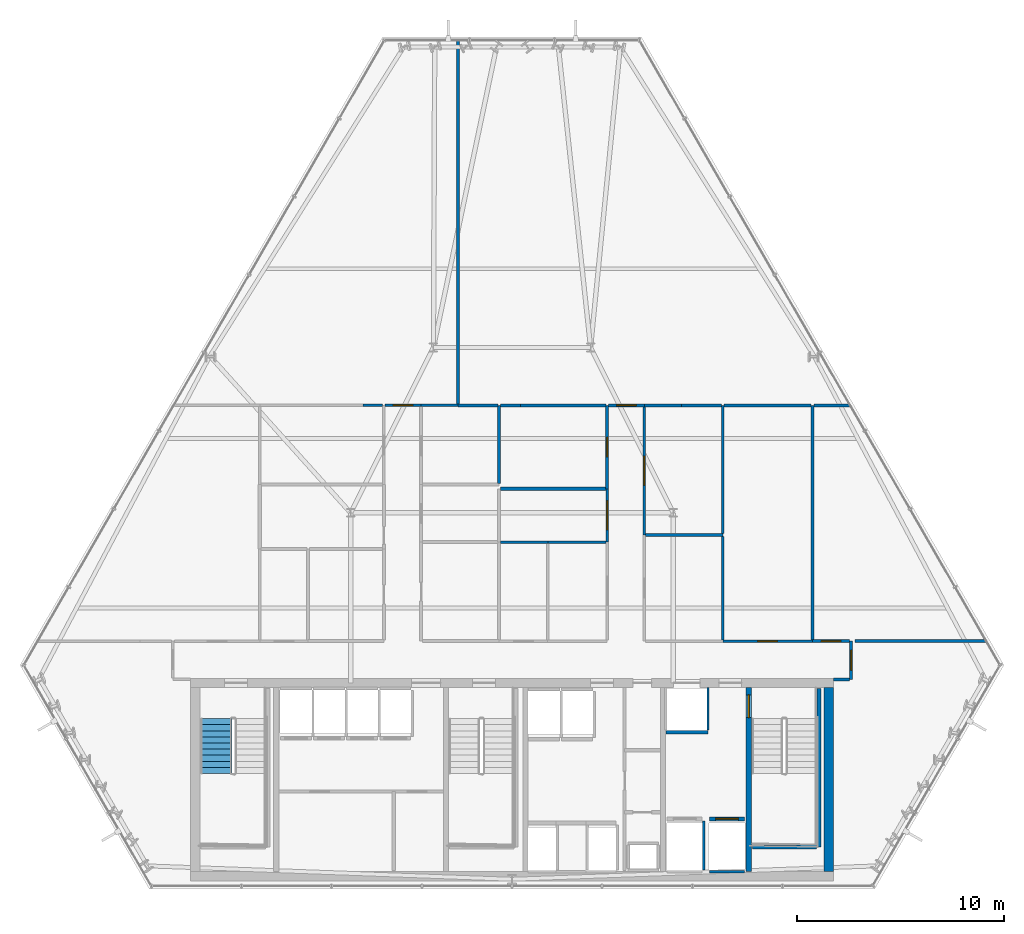
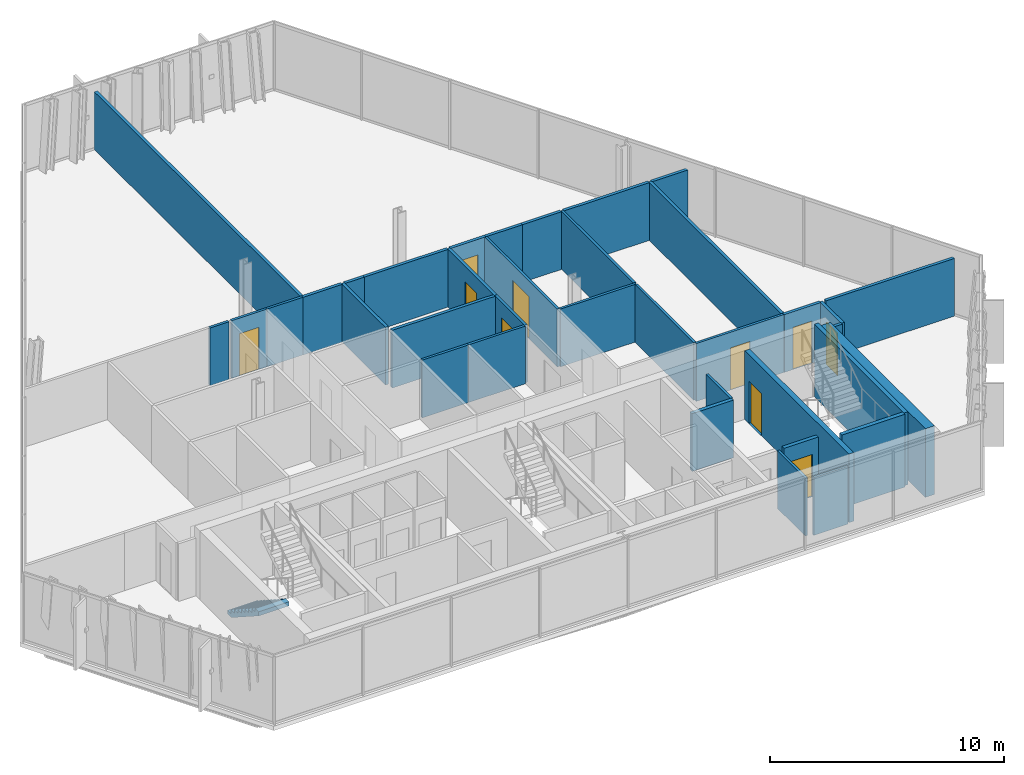
# One storey, part 27 of 32: 37 walls, 10 doors, 1 stair flight, 10 openings, 1 element without a shape of its own.
"""IFC4 building model written with IfcOpenShell, lengths in metres."""

from ifc_helpers import new_model, si_unit, direction, frame, frame_2d, origin, place, context, subcontext, project, spatial, polyline, rectangle, outline, extrude, material, layer, layer_set, type_object, element, fill, aggregate, save


model = new_model("IFC4")

# Units and contexts
model_context = context("Model", 3, precision=1e-05, world=origin(), true_north=direction((0.0, 1.0)))
body_context = subcontext(model_context, "Body", "Model", "MODEL_VIEW")
ifc_project = project(units=[si_unit("LENGTHUNIT", "METRE"), si_unit("AREAUNIT", "SQUARE_METRE"), si_unit("VOLUMEUNIT", "CUBIC_METRE"), si_unit("PLANEANGLEUNIT", "RADIAN"), si_unit("MASSUNIT", "GRAM", prefix="KILO")], contexts=[model_context])

# Site, building, storey
site_placement = place(None, origin())
site = spatial("IfcSite", under=ifc_project, at=site_placement, CompositionType="ELEMENT")
building_placement = place(site_placement, origin())
building = spatial("IfcBuilding", under=site, at=building_placement, Name="Ndaravel Arena Tower", CompositionType="ELEMENT")
storey_placement = place(building_placement, frame((0.0, 0.0, 134.60009765625)))
storey = spatial("IfcBuildingStorey", under=building, at=storey_placement, Name="L31", CompositionType="ELEMENT", Elevation=134.60009765625)

# Wall, opening, door
ifc_material_1 = material(Name="Concrete C60/75", Category="concrete")
ifc_layer_1 = layer(ifc_material_1, 0.25)
ifc_layer_set_1 = layer_set([ifc_layer_1], Name="Concrete C60/75")
wall_type_1 = type_object("IfcWallType", Name="WALL-CORE-250", PredefinedType="SOLIDWALL", material=ifc_layer_set_1)
wall_1_placement = place(storey_placement, frame((53.449951171875, 5.85009765625, 0.0), z_axis=(0.0, 0.0, 1.0), x_axis=(0.0, 1.0, 0.0)))
wall_1 = element("IfcWall", 1, at=wall_1_placement, inside=storey, type_object=wall_type_1, Name="L31 Core Web Shear Wall 5", PredefinedType="SOLIDWALL", context=body_context, shape_type="SweptSolid", body=[
    extrude(rectangle(XDim=8.89990234375, YDim=0.25, at=frame_2d((4.449951171875, 0.0))), origin(), (0.0, 0.0, 1.0), 3.579833984375),
])
opening_1_placement = place(wall_1_placement, frame((7.449951171875, 0.0, 0.0)))
opening_1 = element("IfcOpeningElement", 2, at=opening_1_placement, cuts=wall_1, Name="Opening FD-01", PredefinedType="OPENING", context=body_context, shape_type="SweptSolid", body=[
    extrude(rectangle(XDim=1.10009765625, YDim=2.199951171875, at=frame_2d((0.550048828125, 1.10009765625))), frame((0.0, 0.125, 0.0), z_axis=(0.0, -1.0, 0.0), x_axis=(1.0, 0.0, 0.0)), (0.0, 0.0, 1.0), 0.25),
])
ifc_material_2 = material(Name="Steel S355", Category="steel")
door_type_1 = type_object("IfcDoorType", Name="DT-01-STAIR-1100", OperationType="SINGLE_SWING_LEFT", PredefinedType="DOOR", material=ifc_material_2)
door_1_placement = place(opening_1_placement, origin())
door_1 = element("IfcDoor", 3, at=door_1_placement, inside=storey, type_object=door_type_1, Name="L31 Firefighting Lobby to ST-3 Door", OperationType="SINGLE_SWING_LEFT", OverallHeight=2.199951171875, OverallWidth=1.10009765625, PredefinedType="DOOR", context=body_context, shape_type="SweptSolid", body=[
    extrude(rectangle(XDim=1.10009765625, YDim=2.199951171875, at=frame_2d((0.550048828125, 1.10009765625))), frame((0.0, 0.02490234375, 0.0), z_axis=(0.0, -1.0, 0.0), x_axis=(1.0, 0.0, 0.0)), (0.0, 0.0, 1.0), 0.050048828125),
])
fill(opening_1, door_1)

# Wall
ifc_material_3 = material(Name="Concrete C60/75", Category="concrete")
ifc_layer_2 = layer(ifc_material_3, 0.449951171875)
ifc_layer_set_2 = layer_set([ifc_layer_2], Name="Concrete C60/75")
wall_type_2 = type_object("IfcWallType", Name="WALL-CORE-450", PredefinedType="SOLIDWALL", material=ifc_layer_set_2)
wall_2_placement = place(storey_placement, frame((57.324951171875, 5.85009765625, 0.0), z_axis=(0.0, 0.0, 1.0), x_axis=(0.0, 1.0, 0.0)))
element("IfcWall", 4, at=wall_2_placement, inside=storey, type_object=wall_type_2, Name="L31 Core East Shear Wall", PredefinedType="SOLIDWALL", context=body_context, shape_type="SweptSolid", body=[
    extrude(rectangle(XDim=8.89990234375, YDim=0.449951171875, at=frame_2d((4.449951171875, 0.0))), origin(), (0.0, 0.0, 1.0), 3.579833984375),
])

# Wall, opening, door
ifc_material_4 = material(Name="Gypsum", Category="gypsum")
ifc_layer_3 = layer(ifc_material_4, 0.125)
ifc_layer_set_3 = layer_set([ifc_layer_3], Name="Gypsum")
wall_type_3 = type_object("IfcWallType", Name="WALL-PART-125", PredefinedType="PARTITIONING", material=ifc_layer_set_3)
wall_3_placement = place(storey_placement, frame((35.864990234375, 28.39990234375, 0.0), z_axis=(0.0, 0.0, 1.0), x_axis=(1.0, 0.0, 0.0)))
wall_3 = element("IfcWall", 5, at=wall_3_placement, inside=storey, type_object=wall_type_3, Name="L31 Interior Partition 011", PredefinedType="PARTITIONING", context=body_context, shape_type="SweptSolid", body=[
    extrude(rectangle(XDim=1.735107421875, YDim=0.125, at=frame_2d((0.86767578125, 0.0))), origin(), (0.0, 0.0, 1.0), 3.010498046875),
])
opening_2_placement = place(wall_3_placement, frame((0.392578125, 0.0, 0.0)))
opening_2 = element("IfcOpeningElement", 6, at=opening_2_placement, cuts=wall_3, Name="Opening ID-01", PredefinedType="OPENING", context=body_context, shape_type="SweptSolid", body=[
    extrude(rectangle(XDim=0.949951171875, YDim=2.199951171875, at=frame_2d((0.47509765625, 1.10009765625))), frame((0.0, 0.0625, 0.0), z_axis=(0.0, -1.0, 0.0), x_axis=(1.0, 0.0, 0.0)), (0.0, 0.0, 1.0), 0.125),
])
ifc_material_5 = material(Name="Timber", Category="wood")
door_type_2 = type_object("IfcDoorType", Name="DT-03-OFFICE-950", OperationType="SINGLE_SWING_LEFT", PredefinedType="DOOR", material=ifc_material_5)
door_2_placement = place(opening_2_placement, origin())
door_2 = element("IfcDoor", 7, at=door_2_placement, inside=storey, type_object=door_type_2, Name="L31 Training Classroom 8 Door", OperationType="SINGLE_SWING_RIGHT", OverallHeight=2.199951171875, OverallWidth=0.949951171875, PredefinedType="DOOR", context=body_context, shape_type="SweptSolid", body=[
    extrude(rectangle(XDim=0.949951171875, YDim=2.199951171875, at=frame_2d((0.47509765625, 1.10009765625))), frame((0.0, 0.02490234375, 0.0), z_axis=(0.0, -1.0, 0.0), x_axis=(1.0, 0.0, 0.0)), (0.0, 0.0, 1.0), 0.050048828125),
])
fill(opening_2, door_2)

wall_4_placement = place(storey_placement, frame((46.60009765625, 21.7880859375, 0.0), z_axis=(0.0, 0.0, 1.0), x_axis=(0.0, 1.0, 0.0)))
wall_4 = element("IfcWall", 8, at=wall_4_placement, inside=storey, type_object=wall_type_3, Name="L31 Interior Partition 019", PredefinedType="PARTITIONING", context=body_context, shape_type="SweptSolid", body=[
    extrude(rectangle(XDim=2.57861328125, YDim=0.125, at=frame_2d((1.289306640625, 0.0))), origin(), (0.0, 0.0, 1.0), 3.010498046875),
])
opening_3_placement = place(wall_4_placement, frame((0.58935546875, 0.0, 0.0)))
opening_3 = element("IfcOpeningElement", 9, at=opening_3_placement, cuts=wall_4, Name="Opening ID-02", PredefinedType="OPENING", context=body_context, shape_type="SweptSolid", body=[
    extrude(rectangle(XDim=1.39990234375, YDim=2.199951171875, at=frame_2d((0.699951171875, 1.10009765625))), frame((0.0, 0.0625, 0.0), z_axis=(0.0, -1.0, 0.0), x_axis=(1.0, 0.0, 0.0)), (0.0, 0.0, 1.0), 0.125),
])
ifc_material_6 = material(Name="Timber", Category="wood")
door_type_3 = type_object("IfcDoorType", Name="DT-04-SUITE-1400", OperationType="DOUBLE_DOOR_SINGLE_SWING", PredefinedType="DOOR", material=ifc_material_6)
door_3_placement = place(opening_3_placement, origin())
door_3 = element("IfcDoor", 10, at=door_3_placement, inside=storey, type_object=door_type_3, Name="L31 Executive Boardroom 5 Door", OperationType="SINGLE_SWING_RIGHT", OverallHeight=2.199951171875, OverallWidth=1.39990234375, PredefinedType="DOOR", context=body_context, shape_type="SweptSolid", body=[
    extrude(rectangle(XDim=1.39990234375, YDim=2.199951171875, at=frame_2d((0.699951171875, 1.10009765625))), frame((0.0, 0.02490234375, 0.0), z_axis=(0.0, -1.0, 0.0), x_axis=(1.0, 0.0, 0.0)), (0.0, 0.0, 1.0), 0.050048828125),
])
fill(opening_3, door_3)

wall_5_placement = place(storey_placement, frame((48.39990234375, 28.3349609375, 0.0), z_axis=(0.0, 0.0, 1.0), x_axis=(0.0, -1.0, 0.0)))
wall_5 = element("IfcWall", 11, at=wall_5_placement, inside=storey, type_object=wall_type_3, Name="L31 Interior Partition 022", PredefinedType="PARTITIONING", context=body_context, shape_type="SweptSolid", body=[
    extrude(rectangle(XDim=6.205078125, YDim=0.125, at=frame_2d((3.1025390625, 0.0))), origin(), (0.0, 0.0, 1.0), 3.010498046875),
])
opening_4_placement = place(wall_5_placement, frame((2.402587890625, 0.0, 0.0)))
opening_4 = element("IfcOpeningElement", 12, at=opening_4_placement, cuts=wall_5, Name="Opening ID-02", PredefinedType="OPENING", context=body_context, shape_type="SweptSolid", body=[
    extrude(rectangle(XDim=1.39990234375, YDim=2.199951171875, at=frame_2d((0.699951171875, 1.10009765625))), frame((0.0, 0.0625, 0.0), z_axis=(0.0, -1.0, 0.0), x_axis=(1.0, 0.0, 0.0)), (0.0, 0.0, 1.0), 0.125),
])
door_4_placement = place(opening_4_placement, origin())
door_4 = element("IfcDoor", 13, at=door_4_placement, inside=storey, type_object=door_type_3, Name="L31 Client Conference Room 6 Door", OperationType="SINGLE_SWING_RIGHT", OverallHeight=2.199951171875, OverallWidth=1.39990234375, PredefinedType="DOOR", context=body_context, shape_type="SweptSolid", body=[
    extrude(rectangle(XDim=1.39990234375, YDim=2.199951171875, at=frame_2d((0.699951171875, 1.10009765625))), frame((0.0, 0.02490234375, 0.0), z_axis=(0.0, -1.0, 0.0), x_axis=(1.0, 0.0, 0.0)), (0.0, 0.0, 1.0), 0.050048828125),
])
fill(opening_4, door_4)

wall_6_placement = place(storey_placement, frame((52.199951171875, 17.0, 0.0), z_axis=(0.0, 0.0, 1.0), x_axis=(1.0, 0.0, 0.0)))
wall_6 = element("IfcWall", 14, at=wall_6_placement, inside=storey, type_object=wall_type_3, Name="L31 Interior Partition 025", PredefinedType="PARTITIONING", context=body_context, shape_type="SweptSolid", body=[
    extrude(rectangle(XDim=4.33251953125, YDim=0.125, at=frame_2d((2.166259765625, 0.0))), origin(), (0.0, 0.0, 1.0), 3.010498046875),
])
opening_5_placement = place(wall_6_placement, frame((1.691162109375, 0.0, 0.0)))
opening_5 = element("IfcOpeningElement", 15, at=opening_5_placement, cuts=wall_6, Name="Opening ID-01", PredefinedType="OPENING", context=body_context, shape_type="SweptSolid", body=[
    extrude(rectangle(XDim=0.949951171875, YDim=2.199951171875, at=frame_2d((0.47509765625, 1.10009765625))), frame((0.0, 0.0625, 0.0), z_axis=(0.0, -1.0, 0.0), x_axis=(1.0, 0.0, 0.0)), (0.0, 0.0, 1.0), 0.125),
])
door_5_placement = place(opening_5_placement, origin())
door_5 = element("IfcDoor", 16, at=door_5_placement, inside=storey, type_object=door_type_2, Name="L31 Training Classroom 4 Door", OperationType="SINGLE_SWING_RIGHT", OverallHeight=2.199951171875, OverallWidth=0.949951171875, PredefinedType="DOOR", context=body_context, shape_type="SweptSolid", body=[
    extrude(rectangle(XDim=0.949951171875, YDim=2.199951171875, at=frame_2d((0.47509765625, 1.10009765625))), frame((0.0, 0.02490234375, 0.0), z_axis=(0.0, -1.0, 0.0), x_axis=(1.0, 0.0, 0.0)), (0.0, 0.0, 1.0), 0.050048828125),
])
fill(opening_5, door_5)

# Walls
wall_7_placement = place(storey_placement, frame((41.445068359375, 21.7880859375, 0.0), z_axis=(0.0, 0.0, 1.0), x_axis=(1.0, 0.0, 0.0)))
element("IfcWall", 17, at=wall_7_placement, inside=storey, type_object=wall_type_3, Name="L31 Interior Partition 036", PredefinedType="PARTITIONING", context=body_context, shape_type="SweptSolid", body=[
    extrude(rectangle(XDim=2.283935546875, YDim=0.125, at=frame_2d((1.14208984375, 0.0))), origin(), (0.0, 0.0, 1.0), 3.010498046875),
])
wall_8_placement = place(storey_placement, frame((43.72900390625, 21.7880859375, 0.0), z_axis=(0.0, 0.0, 1.0), x_axis=(1.0, 0.0, 0.0)))
element("IfcWall", 18, at=wall_8_placement, inside=storey, type_object=wall_type_3, Name="L31 Interior Partition 038", PredefinedType="PARTITIONING", context=body_context, shape_type="SweptSolid", body=[
    extrude(rectangle(XDim=2.805908203125, YDim=0.125, at=frame_2d((1.40283203125, 0.0))), origin(), (0.0, 0.0, 1.0), 3.010498046875),
])
wall_9_placement = place(storey_placement, frame((48.465087890625, 22.1298828125, 0.0), z_axis=(0.0, 0.0, 1.0), x_axis=(1.0, 0.0, 0.0)))
element("IfcWall", 19, at=wall_9_placement, inside=storey, type_object=wall_type_3, Name="L31 Interior Partition 039", PredefinedType="PARTITIONING", context=body_context, shape_type="SweptSolid", body=[
    extrude(rectangle(XDim=3.73486328125, YDim=0.125, at=frame_2d((1.867431640625, 0.0))), origin(), (0.0, 0.0, 1.0), 3.010498046875),
])
wall_10_placement = place(storey_placement, frame((52.199951171875, 22.06494140625, 0.0), z_axis=(0.0, 0.0, 1.0), x_axis=(0.0, -1.0, 0.0)))
element("IfcWall", 20, at=wall_10_placement, inside=storey, type_object=wall_type_3, Name="L31 Interior Partition 040", PredefinedType="PARTITIONING", context=body_context, shape_type="SweptSolid", body=[
    extrude(rectangle(XDim=5.0, YDim=0.125, at=frame_2d((2.5, 0.0))), origin(), (0.0, 0.0, 1.0), 3.010498046875),
])
wall_11_placement = place(storey_placement, frame((52.199951171875, 22.195068359375, 0.0), z_axis=(0.0, 0.0, 1.0), x_axis=(0.0, 1.0, 0.0)))
element("IfcWall", 21, at=wall_11_placement, inside=storey, type_object=wall_type_3, Name="L31 Interior Partition 046", PredefinedType="PARTITIONING", context=body_context, shape_type="SweptSolid", body=[
    extrude(rectangle(XDim=6.204833984375, YDim=0.125, at=frame_2d((3.1025390625, 0.0))), origin(), (0.0, 0.0, 1.0), 3.010498046875),
])
wall_12_placement = place(storey_placement, frame((37.60009765625, 28.39990234375, 0.0), z_axis=(0.0, 0.0, 1.0), x_axis=(1.0, 0.0, 0.0)))
element("IfcWall", 22, at=wall_12_placement, inside=storey, type_object=wall_type_3, Name="L31 Interior Partition 057", PredefinedType="PARTITIONING", context=body_context, shape_type="SweptSolid", body=[
    extrude(rectangle(XDim=1.7822265625, YDim=0.125, at=frame_2d((0.89111328125, 0.0))), origin(), (0.0, 0.0, 1.0), 3.010498046875),
])
wall_13_placement = place(storey_placement, frame((34.800048828125, 28.39990234375, 0.0), z_axis=(0.0, 0.0, 1.0), x_axis=(1.0, 0.0, 0.0)))
element("IfcWall", 23, at=wall_13_placement, inside=storey, type_object=wall_type_3, Name="L31 Interior Partition 060", PredefinedType="PARTITIONING", context=body_context, shape_type="SweptSolid", body=[
    extrude(rectangle(XDim=0.93505859375, YDim=0.125, at=frame_2d((0.467529296875, 0.0))), origin(), (0.0, 0.0, 1.0), 3.010498046875),
])
ifc_material_7 = material(Name="Concrete C40/50", Category="concrete")
ifc_layer_4 = layer(ifc_material_7, 0.1201171875)
ifc_layer_set_4 = layer_set([ifc_layer_4], Name="Concrete C40/50")
wall_type_4 = type_object("IfcWallType", Name="WALL-SHAFT-120", PredefinedType="SOLIDWALL", material=ifc_layer_set_4)
wall_14_placement = place(storey_placement, frame((51.27490234375, 5.929931640625, 0.0), z_axis=(0.0, 0.0, 1.0), x_axis=(0.0, 1.0, 0.0)))
element("IfcWall", 24, at=wall_14_placement, inside=storey, type_object=wall_type_4, Name="L31 FFL-1 Shaft Side R Wall", PredefinedType="SOLIDWALL", context=body_context, shape_type="SweptSolid", body=[
    extrude(rectangle(XDim=2.380126953125, YDim=0.1201171875, at=frame_2d((1.18994140625, 0.0))), origin(), (0.0, 0.0, 1.0), 3.010498046875),
])
wall_15_placement = place(storey_placement, frame((51.554931640625, 5.840087890625, 0.0), z_axis=(0.0, 0.0, 1.0), x_axis=(1.0, 0.0, 0.0)))
element("IfcWall", 25, at=wall_15_placement, inside=storey, type_object=wall_type_4, Name="L31 FFL-2 Shaft Rear Wall", PredefinedType="SOLIDWALL", context=body_context, shape_type="SweptSolid", body=[
    extrude(rectangle(XDim=1.690185546875, YDim=0.1201171875, at=frame_2d((0.84521484375, 0.0))), origin(), (0.0, 0.0, 1.0), 3.010498046875),
])
wall_16_placement = place(storey_placement, frame((51.47998046875, 12.68994140625, 0.0), z_axis=(0.0, 0.0, 1.0), x_axis=(0.0, 1.0, 0.0)))
element("IfcWall", 26, at=wall_16_placement, inside=storey, type_object=wall_type_4, Name="L31 SVL-1 Shaft E Wall", PredefinedType="SOLIDWALL", context=body_context, shape_type="SweptSolid", body=[
    extrude(rectangle(XDim=2.070068359375, YDim=0.1201171875, at=frame_2d((1.03515625, 0.0))), origin(), (0.0, 0.0, 1.0), 3.010498046875),
])
ifc_material_8 = material(Name="Concrete C40/50", Category="concrete")
ifc_layer_5 = layer(ifc_material_8, 0.199951171875)
ifc_layer_set_5 = layer_set([ifc_layer_5], Name="Concrete C40/50")
wall_type_5 = type_object("IfcWallType", Name="WALL-SHAFT-200", PredefinedType="SOLIDWALL", material=ifc_layer_set_5)
wall_17_placement = place(storey_placement, frame((56.840087890625, 14.699951171875, 0.0), z_axis=(0.0, 0.0, 1.0), x_axis=(0.0, -1.0, 0.0)))
element("IfcWall", 27, at=wall_17_placement, inside=storey, type_object=wall_type_5, Name="L31 ST-3 Structural Shaft Wall Right", PredefinedType="SOLIDWALL", context=body_context, shape_type="SweptSolid", body=[
    extrude(rectangle(XDim=7.64990234375, YDim=0.199951171875, at=frame_2d((3.824951171875, 0.0))), origin(), (0.0, 0.0, 1.0), 3.7998046875),
])
wall_18_placement = place(storey_placement, frame((53.6201171875, 7.050048828125, 0.0), z_axis=(0.0, 0.0, 1.0), x_axis=(1.0, 0.0, 0.0)))
element("IfcWall", 28, at=wall_18_placement, inside=storey, type_object=wall_type_5, Name="L31 ST-3 Structural Shaft Wall Far", PredefinedType="SOLIDWALL", context=body_context, shape_type="SweptSolid", body=[
    extrude(rectangle(XDim=3.114990234375, YDim=0.199951171875, at=frame_2d((1.5576171875, 0.0))), origin(), (0.0, 0.0, 1.0), 3.7998046875),
])

# Wall, opening, door
wall_19_placement = place(storey_placement, frame((51.554931640625, 8.39990234375, 0.0), z_axis=(0.0, 0.0, 1.0), x_axis=(1.0, 0.0, 0.0)))
wall_19 = element("IfcWall", 29, at=wall_19_placement, inside=storey, type_object=wall_type_5, Name="L31 FFL-2 Shaft Landing Wall", PredefinedType="SOLIDWALL", context=body_context, shape_type="SweptSolid", body=[
    extrude(rectangle(XDim=1.690185546875, YDim=0.179931640625, at=frame_2d((0.84521484375, 0.0))), origin(), (0.0, 0.0, 1.0), 3.010498046875),
])
opening_6_placement = place(wall_19_placement, frame((0.294921875, 0.0, 0.0)))
opening_6 = element("IfcOpeningElement", 30, at=opening_6_placement, cuts=wall_19, Name="Opening LD-01", PredefinedType="OPENING", context=body_context, shape_type="SweptSolid", body=[
    extrude(rectangle(XDim=1.10009765625, YDim=2.199951171875, at=frame_2d((0.550048828125, 1.10009765625))), frame((0.0, 0.08984375, 0.0), z_axis=(0.0, -1.0, 0.0), x_axis=(1.0, 0.0, 0.0)), (0.0, 0.0, 1.0), 0.179931640625),
])
ifc_material_9 = material(Name="Steel S355", Category="steel")
door_type_4 = type_object("IfcDoorType", Name="DT-06-LIFT-1100", OperationType="SLIDING_TO_LEFT", PredefinedType="DOOR", material=ifc_material_9)
door_6_placement = place(opening_6_placement, origin())
door_6 = element("IfcDoor", 31, at=door_6_placement, inside=storey, type_object=door_type_4, Name="L31 Lift FFL-2 Sliding Landing Door", OperationType="SLIDING_TO_LEFT", OverallHeight=2.199951171875, OverallWidth=1.10009765625, PredefinedType="DOOR", context=body_context, shape_type="SweptSolid", body=[
    extrude(rectangle(XDim=1.10009765625, YDim=2.199951171875, at=frame_2d((0.550048828125, 1.10009765625))), frame((0.0, 0.02490234375, 0.0), z_axis=(0.0, -1.0, 0.0), x_axis=(1.0, 0.0, 0.0)), (0.0, 0.0, 1.0), 0.050048828125),
])
fill(opening_6, door_6)

# Wall
wall_20_placement = place(storey_placement, frame((49.43994140625, 12.594970703125, 0.0), z_axis=(0.0, 0.0, 1.0), x_axis=(1.0, 0.0, 0.0)))
element("IfcWall", 32, at=wall_20_placement, inside=storey, type_object=wall_type_5, Name="L31 SVL-1 Shaft South Wall", PredefinedType="SOLIDWALL", context=body_context, shape_type="SweptSolid", body=[
    extrude(rectangle(XDim=2.0400390625, YDim=0.179931640625, at=frame_2d((1.02001953125, 0.0))), origin(), (0.0, 0.0, 1.0), 3.010498046875),
])

# Wall, opening, door
ifc_material_10 = material(Name="Masonry", Category="masonry")
ifc_layer_6 = layer(ifc_material_10, 0.14990234375)
ifc_layer_set_6 = layer_set([ifc_layer_6], Name="Masonry")
wall_type_6 = type_object("IfcWallType", Name="WALL-WET-150", PredefinedType="PARTITIONING", material=ifc_layer_set_6)
wall_21_placement = place(storey_placement, frame((58.39990234375, 17.0, 0.0), z_axis=(0.0, 0.0, 1.0), x_axis=(0.0, -1.0, 0.0)))
wall_21 = element("IfcWall", 33, at=wall_21_placement, inside=storey, type_object=wall_type_6, Name="L31 Interior Partition 001", PredefinedType="PARTITIONING", context=body_context, shape_type="SweptSolid", body=[
    extrude(rectangle(XDim=1.85009765625, YDim=0.14990234375, at=frame_2d((0.925048828125, 0.0))), origin(), (0.0, 0.0, 1.0), 3.010498046875),
])
opening_7_placement = place(wall_21_placement, frame((0.449951171875, 0.0, 0.0)))
opening_7 = element("IfcOpeningElement", 34, at=opening_7_placement, cuts=wall_21, Name="Opening FD-03", PredefinedType="OPENING", context=body_context, shape_type="SweptSolid", body=[
    extrude(rectangle(XDim=0.949951171875, YDim=2.199951171875, at=frame_2d((0.47509765625, 1.10009765625))), frame((0.0, 0.074951171875, 0.0), z_axis=(0.0, -1.0, 0.0), x_axis=(1.0, 0.0, 0.0)), (0.0, 0.0, 1.0), 0.14990234375),
])
ifc_material_11 = material(Name="Steel S355", Category="steel")
door_type_5 = type_object("IfcDoorType", Name="DT-11-CORE-950", OperationType="SINGLE_SWING_LEFT", PredefinedType="DOOR", material=ifc_material_11)
door_7_placement = place(opening_7_placement, origin())
door_7 = element("IfcDoor", 35, at=door_7_placement, inside=storey, type_object=door_type_5, Name="L31 Staff Espresso Kitchen Door", OperationType="SINGLE_SWING_LEFT", OverallHeight=2.199951171875, OverallWidth=0.949951171875, PredefinedType="DOOR", context=body_context, shape_type="SweptSolid", body=[
    extrude(rectangle(XDim=0.949951171875, YDim=2.199951171875, at=frame_2d((0.47509765625, 1.10009765625))), frame((0.0, 0.02490234375, 0.0), z_axis=(0.0, -1.0, 0.0), x_axis=(1.0, 0.0, 0.0)), (0.0, 0.0, 1.0), 0.050048828125),
])
fill(opening_7, door_7)

# Wall
wall_22_placement = place(storey_placement, frame((58.3349609375, 15.14990234375, 0.0), z_axis=(0.0, 0.0, 1.0), x_axis=(-1.0, 0.0, 0.0)))
element("IfcWall", 36, at=wall_22_placement, inside=storey, type_object=wall_type_6, Name="L31 Interior Partition 002", PredefinedType="PARTITIONING", context=body_context, shape_type="SweptSolid", body=[
    extrude(rectangle(XDim=0.784912109375, YDim=0.14990234375, at=frame_2d((0.392578125, 0.0))), origin(), (0.0, 0.0, 1.0), 3.010498046875),
])

# Wall, opening, door
wall_23_placement = place(storey_placement, frame((46.60009765625, 24.36669921875, 0.0), z_axis=(0.0, 0.0, 1.0), x_axis=(0.0, 1.0, 0.0)))
wall_23 = element("IfcWall", 37, at=wall_23_placement, inside=storey, type_object=wall_type_6, Name="L31 Interior Partition 020", PredefinedType="PARTITIONING", context=body_context, shape_type="SweptSolid", body=[
    extrude(rectangle(XDim=4.033203125, YDim=0.14990234375, at=frame_2d((2.0166015625, 0.0))), origin(), (0.0, 0.0, 1.0), 3.010498046875),
])
opening_8_placement = place(wall_23_placement, frame((1.54150390625, 0.0, 0.0)))
opening_8 = element("IfcOpeningElement", 38, at=opening_8_placement, cuts=wall_23, Name="Opening FD-03", PredefinedType="OPENING", context=body_context, shape_type="SweptSolid", body=[
    extrude(rectangle(XDim=0.949951171875, YDim=2.199951171875, at=frame_2d((0.47509765625, 1.10009765625))), frame((0.0, 0.074951171875, 0.0), z_axis=(0.0, -1.0, 0.0), x_axis=(1.0, 0.0, 0.0)), (0.0, 0.0, 1.0), 0.14990234375),
])
door_8_placement = place(opening_8_placement, origin())
door_8 = element("IfcDoor", 39, at=door_8_placement, inside=storey, type_object=door_type_5, Name="L31 Catering Pantry 6 Door", OperationType="SINGLE_SWING_LEFT", OverallHeight=2.199951171875, OverallWidth=0.949951171875, PredefinedType="DOOR", context=body_context, shape_type="SweptSolid", body=[
    extrude(rectangle(XDim=0.949951171875, YDim=2.199951171875, at=frame_2d((0.47509765625, 1.10009765625))), frame((0.0, 0.02490234375, 0.0), z_axis=(0.0, -1.0, 0.0), x_axis=(1.0, 0.0, 0.0)), (0.0, 0.0, 1.0), 0.050048828125),
])
fill(opening_8, door_8)

wall_24_placement = place(storey_placement, frame((46.6650390625, 28.39990234375, 0.0), z_axis=(0.0, 0.0, 1.0), x_axis=(1.0, 0.0, 0.0)))
wall_24 = element("IfcWall", 40, at=wall_24_placement, inside=storey, type_object=wall_type_6, Name="L31 Interior Partition 021", PredefinedType="PARTITIONING", context=body_context, shape_type="SweptSolid", body=[
    extrude(rectangle(XDim=1.73486328125, YDim=0.14990234375, at=frame_2d((0.867431640625, 0.0))), origin(), (0.0, 0.0, 1.0), 3.010498046875),
])
opening_9_placement = place(wall_24_placement, frame((0.392578125, 0.0, 0.0)))
opening_9 = element("IfcOpeningElement", 41, at=opening_9_placement, cuts=wall_24, Name="Opening FD-03", PredefinedType="OPENING", context=body_context, shape_type="SweptSolid", body=[
    extrude(rectangle(XDim=0.949951171875, YDim=2.199951171875, at=frame_2d((0.47509765625, 1.10009765625))), frame((0.0, 0.074951171875, 0.0), z_axis=(0.0, -1.0, 0.0), x_axis=(1.0, 0.0, 0.0)), (0.0, 0.0, 1.0), 0.14990234375),
])
door_9_placement = place(opening_9_placement, origin())
door_9 = element("IfcDoor", 42, at=door_9_placement, inside=storey, type_object=door_type_5, Name="L31 Floor Servery Kitchen 8 Door", OperationType="SINGLE_SWING_LEFT", OverallHeight=2.199951171875, OverallWidth=0.949951171875, PredefinedType="DOOR", context=body_context, shape_type="SweptSolid", body=[
    extrude(rectangle(XDim=0.949951171875, YDim=2.199951171875, at=frame_2d((0.47509765625, 1.10009765625))), frame((0.0, 0.02490234375, 0.0), z_axis=(0.0, -1.0, 0.0), x_axis=(1.0, 0.0, 0.0)), (0.0, 0.0, 1.0), 0.050048828125),
])
fill(opening_9, door_9)

wall_25_placement = place(storey_placement, frame((56.532470703125, 17.0, 0.0), z_axis=(0.0, 0.0, 1.0), x_axis=(1.0, 0.0, 0.0)))
wall_25 = element("IfcWall", 43, at=wall_25_placement, inside=storey, type_object=wall_type_6, Name="L31 Interior Partition 026", PredefinedType="PARTITIONING", context=body_context, shape_type="SweptSolid", body=[
    extrude(rectangle(XDim=1.802490234375, YDim=0.14990234375, at=frame_2d((0.9013671875, 0.0))), origin(), (0.0, 0.0, 1.0), 3.010498046875),
])
opening_10_placement = place(wall_25_placement, frame((0.42626953125, 0.0, 0.0)))
opening_10 = element("IfcOpeningElement", 44, at=opening_10_placement, cuts=wall_25, Name="Opening FD-03", PredefinedType="OPENING", context=body_context, shape_type="SweptSolid", body=[
    extrude(rectangle(XDim=0.949951171875, YDim=2.199951171875, at=frame_2d((0.47509765625, 1.10009765625))), frame((0.0, 0.074951171875, 0.0), z_axis=(0.0, -1.0, 0.0), x_axis=(1.0, 0.0, 0.0)), (0.0, 0.0, 1.0), 0.14990234375),
])
door_10_placement = place(opening_10_placement, origin())
door_10 = element("IfcDoor", 45, at=door_10_placement, inside=storey, type_object=door_type_5, Name="L31 Catering Pantry 2 Door", OperationType="SINGLE_SWING_RIGHT", OverallHeight=2.199951171875, OverallWidth=0.949951171875, PredefinedType="DOOR", context=body_context, shape_type="SweptSolid", body=[
    extrude(rectangle(XDim=0.949951171875, YDim=2.199951171875, at=frame_2d((0.47509765625, 1.10009765625))), frame((0.0, 0.02490234375, 0.0), z_axis=(0.0, -1.0, 0.0), x_axis=(1.0, 0.0, 0.0)), (0.0, 0.0, 1.0), 0.050048828125),
])
fill(opening_10, door_10)

# Walls
wall_26_placement = place(storey_placement, frame((58.60009765625, 17.0, 0.0), z_axis=(0.0, 0.0, 1.0), x_axis=(1.0, 0.0, 0.0)))
element("IfcWall", 46, at=wall_26_placement, inside=storey, type_object=wall_type_6, Name="L31 Interior Partition 029", PredefinedType="PARTITIONING", context=body_context, shape_type="SweptSolid", body=[
    extrude(rectangle(XDim=6.34228515625, YDim=0.14990234375, at=frame_2d((3.171142578125, 0.0))), origin(), (0.0, 0.0, 1.0), 3.010498046875),
])
wall_27_placement = place(storey_placement, frame((56.532470703125, 17.06494140625, 0.0), z_axis=(0.0, 0.0, 1.0), x_axis=(0.0, 1.0, 0.0)))
element("IfcWall", 47, at=wall_27_placement, inside=storey, type_object=wall_type_6, Name="L31 Interior Partition 041", PredefinedType="PARTITIONING", context=body_context, shape_type="SweptSolid", body=[
    extrude(rectangle(XDim=11.3349609375, YDim=0.14990234375, at=frame_2d((5.66748046875, 0.0))), origin(), (0.0, 0.0, 1.0), 3.010498046875),
])
wall_28_placement = place(storey_placement, frame((56.597412109375, 28.39990234375, 0.0), z_axis=(0.0, 0.0, 1.0), x_axis=(1.0, 0.0, 0.0)))
element("IfcWall", 48, at=wall_28_placement, inside=storey, type_object=wall_type_6, Name="L31 Interior Partition 042", PredefinedType="PARTITIONING", context=body_context, shape_type="SweptSolid", body=[
    extrude(rectangle(XDim=1.76318359375, YDim=0.14990234375, at=frame_2d((0.881591796875, 0.0))), origin(), (0.0, 0.0, 1.0), 3.010498046875),
])
wall_29_placement = place(storey_placement, frame((52.264892578125, 28.39990234375, 0.0), z_axis=(0.0, 0.0, 1.0), x_axis=(1.0, 0.0, 0.0)))
element("IfcWall", 49, at=wall_29_placement, inside=storey, type_object=wall_type_6, Name="L31 Interior Partition 047", PredefinedType="PARTITIONING", context=body_context, shape_type="SweptSolid", body=[
    extrude(rectangle(XDim=4.202392578125, YDim=0.14990234375, at=frame_2d((2.10107421875, 0.0))), origin(), (0.0, 0.0, 1.0), 3.010498046875),
])
wall_30_placement = place(storey_placement, frame((41.445068359375, 24.36669921875, 0.0), z_axis=(0.0, 0.0, 1.0), x_axis=(1.0, 0.0, 0.0)))
element("IfcWall", 50, at=wall_30_placement, inside=storey, type_object=wall_type_6, Name="L31 Interior Partition 050", PredefinedType="PARTITIONING", context=body_context, shape_type="SweptSolid", body=[
    extrude(rectangle(XDim=5.08984375, YDim=0.14990234375, at=frame_2d((2.544921875, 0.0))), origin(), (0.0, 0.0, 1.0), 3.010498046875),
])
wall_31_placement = place(storey_placement, frame((48.39990234375, 28.39990234375, 0.0), z_axis=(0.0, 0.0, 1.0), x_axis=(1.0, 0.0, 0.0)))
element("IfcWall", 51, at=wall_31_placement, inside=storey, type_object=wall_type_6, Name="L31 Interior Partition 052", PredefinedType="PARTITIONING", context=body_context, shape_type="SweptSolid", body=[
    extrude(rectangle(XDim=1.800048828125, YDim=0.14990234375, at=frame_2d((0.89990234375, 0.0))), origin(), (0.0, 0.0, 1.0), 3.010498046875),
])
wall_32_placement = place(storey_placement, frame((50.199951171875, 28.39990234375, 0.0), z_axis=(0.0, 0.0, 1.0), x_axis=(1.0, 0.0, 0.0)))
element("IfcWall", 52, at=wall_32_placement, inside=storey, type_object=wall_type_6, Name="L31 Interior Partition 053", PredefinedType="PARTITIONING", context=body_context, shape_type="SweptSolid", body=[
    extrude(rectangle(XDim=1.93505859375, YDim=0.14990234375, at=frame_2d((0.967529296875, 0.0))), origin(), (0.0, 0.0, 1.0), 3.010498046875),
])
wall_33_placement = place(storey_placement, frame((41.3798828125, 24.6298828125, 0.0), z_axis=(0.0, 0.0, 1.0), x_axis=(0.0, 1.0, 0.0)))
element("IfcWall", 53, at=wall_33_placement, inside=storey, type_object=wall_type_6, Name="L31 Interior Partition 054", PredefinedType="PARTITIONING", context=body_context, shape_type="SweptSolid", body=[
    extrude(rectangle(XDim=3.77001953125, YDim=0.14990234375, at=frame_2d((1.885009765625, 0.0))), origin(), (0.0, 0.0, 1.0), 3.010498046875),
])
wall_34_placement = place(storey_placement, frame((41.445068359375, 28.39990234375, 0.0), z_axis=(0.0, 0.0, 1.0), x_axis=(1.0, 0.0, 0.0)))
element("IfcWall", 54, at=wall_34_placement, inside=storey, type_object=wall_type_6, Name="L31 Interior Partition 055", PredefinedType="PARTITIONING", context=body_context, shape_type="SweptSolid", body=[
    extrude(rectangle(XDim=0.954833984375, YDim=0.14990234375, at=frame_2d((0.4775390625, 0.0))), origin(), (0.0, 0.0, 1.0), 3.010498046875),
])
wall_35_placement = place(storey_placement, frame((42.39990234375, 28.39990234375, 0.0), z_axis=(0.0, 0.0, 1.0), x_axis=(1.0, 0.0, 0.0)))
element("IfcWall", 55, at=wall_35_placement, inside=storey, type_object=wall_type_6, Name="L31 Interior Partition 056", PredefinedType="PARTITIONING", context=body_context, shape_type="SweptSolid", body=[
    extrude(rectangle(XDim=4.135009765625, YDim=0.14990234375, at=frame_2d((2.0673828125, 0.0))), origin(), (0.0, 0.0, 1.0), 3.010498046875),
])
wall_36_placement = place(storey_placement, frame((39.38232421875, 28.39990234375, 0.0), z_axis=(0.0, 0.0, 1.0), x_axis=(1.0, 0.0, 0.0)))
element("IfcWall", 56, at=wall_36_placement, inside=storey, type_object=wall_type_6, Name="L31 Interior Partition 058", PredefinedType="PARTITIONING", context=body_context, shape_type="SweptSolid", body=[
    extrude(rectangle(XDim=1.9326171875, YDim=0.14990234375, at=frame_2d((0.96630859375, 0.0))), origin(), (0.0, 0.0, 1.0), 3.010498046875),
])
wall_37_placement = place(storey_placement, frame((39.38232421875, 46.05615234375, 0.0), z_axis=(0.0, 0.0, 1.0), x_axis=(0.0, -1.0, 0.0)))
element("IfcWall", 57, at=wall_37_placement, inside=storey, type_object=wall_type_6, Name="L31 Interior Partition 061", PredefinedType="PARTITIONING", context=body_context, shape_type="SweptSolid", body=[
    extrude(rectangle(XDim=17.591064453125, YDim=0.14990234375, at=frame_2d((8.79541015625, 0.0))), origin(), (0.0, 0.0, 1.0), 3.010498046875),
])

# Stair, stair flight
ifc_material_12 = material(Name="Concrete C40/50", Category="concrete")
stair_type = type_object("IfcStairType", Name="STAIR-CORE-HT", PredefinedType="HALF_TURN_STAIR", material=ifc_material_12)
stair_placement = place(storey_placement, origin())
stair = element("IfcStair", 58, at=stair_placement, inside=storey, type_object=stair_type, Name="L31 ST-1", PredefinedType="HALF_TURN_STAIR")
ifc_material_13 = material(Name="Concrete C40/50", Category="concrete")
stair_flight_type = type_object("IfcStairFlightType", Name="SFLIGHT-CORE-1680", PredefinedType="STRAIGHT", material=ifc_material_13)
stair_flight_placement = place(storey_placement, frame((27.699951171875, 13.25, 0.0), z_axis=(0.0, 0.0, 1.0), x_axis=(0.0, -1.0, 0.0)))
stair_flight = element("IfcStairFlight", 59, at=stair_flight_placement, type_object=stair_flight_type, Name="ST-1 flight 1", NumberOfRisers=10, NumberOfTreads=9, PredefinedType="STRAIGHT", RiserHeight=0.19, TreadLength=0.295, context=body_context, shape_type="SweptSolid", body=[
    extrude(outline(polyline([(0.0, 0.0), (0.0, 0.18994140625), (0.294921875, 0.18994140625), (0.294921875, 0.3798828125), (0.590087890625, 0.3798828125), (0.590087890625, 0.570068359375), (0.885009765625, 0.570068359375), (0.885009765625, 0.760009765625), (1.179931640625, 0.760009765625), (1.179931640625, 0.949951171875), (1.47509765625, 0.949951171875), (1.47509765625, 1.139892578125), (1.77001953125, 1.139892578125), (1.77001953125, 1.330078125), (2.06494140625, 1.330078125), (2.06494140625, 1.52001953125), (2.360107421875, 1.52001953125), (2.360107421875, 1.7099609375), (2.655029296875, 1.7099609375), (2.655029296875, 1.89990234375), (2.655029296875, 1.49609375), (0.332275390625, 0.0), (0.0, 0.0)])), frame((0.0, 0.75, 0.0), z_axis=(0.0, -1.0, 0.0), x_axis=(1.0, 0.0, 0.0)), (0.0, 0.0, 1.0), 1.5),
])
aggregate(stair, [stair_flight])

save(model, "model.ifc")
